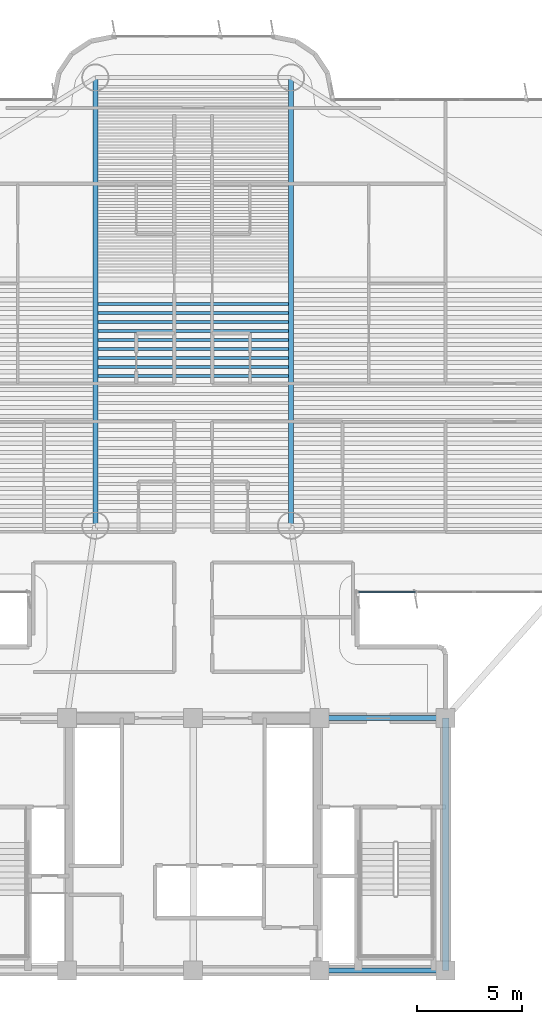
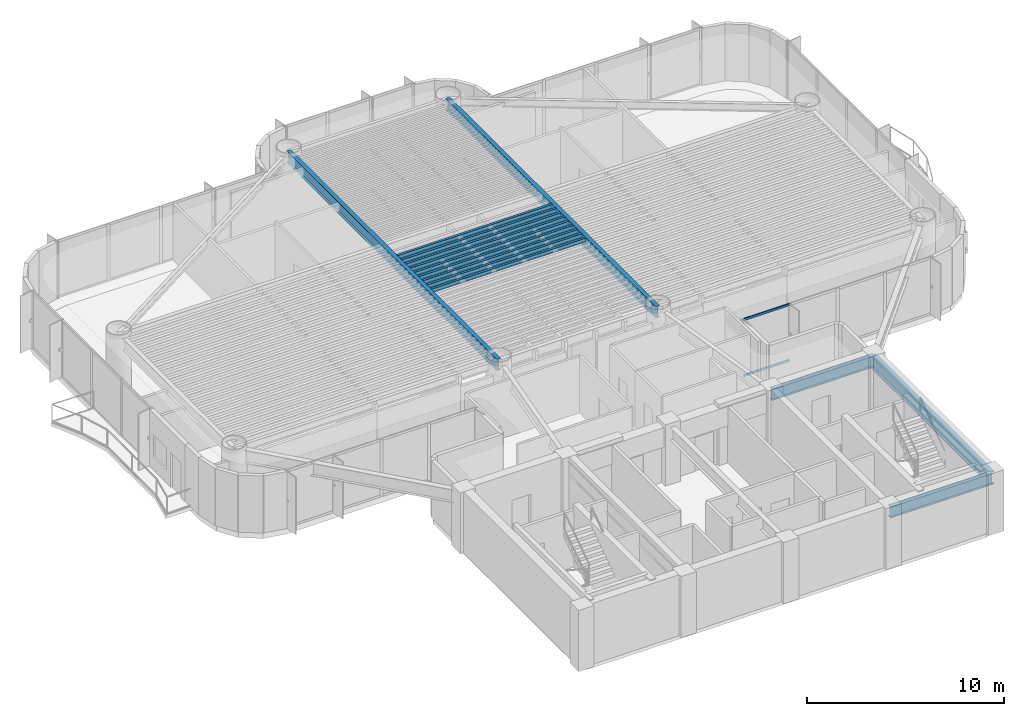
# One storey, part 3 of 17: 14 beams, 2 members, 1 element without a shape of its own.
"""IFC4 building model written with IfcOpenShell, lengths in metres."""

from ifc_helpers import new_model, si_unit, direction, frame, origin, origin_2d, place, context, subcontext, project, spatial, rectangle, i_section, extrude, source, transform, mapped, material, layer, layer_set, material_profile, profile_set, type_object, element, aggregate, save


model = new_model("IFC4")

# Units and contexts
model_context = context("Model", 3, precision=1e-05, world=origin(), true_north=direction((0.0, 1.0)))
body_context = subcontext(model_context, "Body", "Model", "MODEL_VIEW")
ifc_project = project(units=[si_unit("LENGTHUNIT", "METRE"), si_unit("AREAUNIT", "SQUARE_METRE"), si_unit("VOLUMEUNIT", "CUBIC_METRE"), si_unit("PLANEANGLEUNIT", "RADIAN"), si_unit("MASSUNIT", "GRAM", prefix="KILO")], contexts=[model_context])

# Site, building, storey
site_placement = place(None, origin())
site = spatial("IfcSite", under=ifc_project, at=site_placement, CompositionType="ELEMENT")
building_placement = place(site_placement, origin())
building = spatial("IfcBuilding", under=site, at=building_placement, Name="Brelvock Crest Care Tower", CompositionType="ELEMENT")
storey_placement = place(building_placement, frame((0.0, 0.0, 89.820068359375)))
storey = spatial("IfcBuildingStorey", under=building, at=storey_placement, Name="L22", CompositionType="ELEMENT", Elevation=89.820068359375)

# Beams
ifc_material_1 = material(Name="Steel Grade 350", Category="steel")
ifc_material_profile_1 = material_profile(ifc_material_1, i_section(OverallWidth=0.25, OverallDepth=0.699951171875, WebThickness=0.011962890625, FlangeThickness=0.02001953125, at=origin_2d()), Name="700WB150")
ifc_profile_set_1 = profile_set([ifc_material_profile_1], Name="Steel Grade 350")
beam_type_1 = type_object("IfcBeamType", Name="BM-G4", PredefinedType="BEAM", material=ifc_profile_set_1)
shared_shape_1 = source(origin(), body_context, "Body", "SweptSolid", [
    extrude(i_section(OverallWidth=0.25, OverallDepth=0.699951171875, WebThickness=0.011962890625, FlangeThickness=0.02001953125, at=origin_2d()), origin(), (0.0, 0.0, 1.0), 6.0),
])
for number, where, z_axis, x_axis, name in (
    (1, (42.0, 6.0, 3.179931640625), (1.0, 0.0, 0.0), (0.0, 1.0, 0.0), "BM-CORES-L22-4"),
    (2, (42.0, 18.0, 3.179931640625), (1.0, 0.0, 0.0), (0.0, 1.0, 0.0), "BM-COREN-L22-4"),
):
    element("IfcBeam", number, at=place(storey_placement, frame(where, z_axis=z_axis, x_axis=x_axis)), inside=storey, type_object=beam_type_1, Name=name, PredefinedType="BEAM", context=body_context, shape_type="MappedRepresentation", body=[
        mapped(shared_shape_1, transform((0.0, 0.0, 0.0), x_axis=(1.0, 0.0, 0.0), y_axis=(0.0, 1.0, 0.0), z_axis=(0.0, 0.0, 1.0), scale=1.0)),
    ])
ifc_material_profile_2 = material_profile(ifc_material_1, i_section(OverallWidth=0.300048828125, OverallDepth=0.800048828125, WebThickness=0.013916015625, FlangeThickness=0.02197265625, at=origin_2d()), Name="800WB192")
ifc_profile_set_2 = profile_set([ifc_material_profile_2], Name="Steel Grade 350")
beam_type_2 = type_object("IfcBeamType", Name="BM-G5", PredefinedType="BEAM", material=ifc_profile_set_2)
shared_shape_2 = source(origin(), body_context, "Body", "SweptSolid", [
    extrude(i_section(OverallWidth=0.300048828125, OverallDepth=0.800048828125, WebThickness=0.013916015625, FlangeThickness=0.02197265625, at=origin_2d()), origin(), (0.0, 0.0, 1.0), 12.0),
])
beam_placement = place(storey_placement, frame((48.0, 6.0, 3.1298828125), z_axis=(0.0, 1.0, 0.0), x_axis=(-1.0, 0.0, 0.0)))
element("IfcBeam", 3, at=beam_placement, inside=storey, type_object=beam_type_2, Name="BM-COREX-L22-5", PredefinedType="BEAM", context=body_context, shape_type="MappedRepresentation", body=[
    mapped(shared_shape_2, transform((0.0, 0.0, 0.0), x_axis=(1.0, 0.0, 0.0), y_axis=(0.0, 1.0, 0.0), z_axis=(0.0, 0.0, 1.0), scale=1.0)),
])
ifc_material_profile_3 = material_profile(ifc_material_1, i_section(OverallWidth=0.14599609375, OverallDepth=0.256103515625, WebThickness=0.00634765625, FlangeThickness=0.010986328125, FilletRadius=0.0087890625, at=origin_2d()), Name="250UB37.3")
ifc_profile_set_3 = profile_set([ifc_material_profile_3], Name="Steel Grade 350")
beam_type_3 = type_object("IfcBeamType", Name="BM-J3", PredefinedType="JOIST", material=ifc_profile_set_3)
shared_shape_3 = source(origin(), body_context, "Body", "SweptSolid", [
    extrude(i_section(OverallWidth=0.14599609375, OverallDepth=0.256103515625, WebThickness=0.00634765625, FlangeThickness=0.010986328125, FilletRadius=0.0087890625, at=origin_2d()), origin(), (0.0, 0.0, 1.0), 9.06982421875),
])
for number, where, z_axis, x_axis, name in (
    (4, (31.465087890625, 34.2607421875, 3.40185546875), (1.0, 0.0, 0.0), (0.0, 1.0, 0.0), "BM-JH-L22-16"),
    (5, (31.465087890625, 34.687744140625, 3.40185546875), (1.0, 0.0, 0.0), (0.0, 1.0, 0.0), "BM-JH-L22-17"),
    (6, (31.465087890625, 35.11474609375, 3.40185546875), (1.0, 0.0, 0.0), (0.0, 1.0, 0.0), "BM-JH-L22-18"),
    (7, (31.465087890625, 35.541748046875, 3.40185546875), (1.0, 0.0, 0.0), (0.0, 1.0, 0.0), "BM-JH-L22-19"),
    (8, (31.465087890625, 35.96875, 3.40185546875), (1.0, 0.0, 0.0), (0.0, 1.0, 0.0), "BM-JH-L22-20"),
    (9, (31.465087890625, 36.39599609375, 3.40185546875), (1.0, 0.0, 0.0), (0.0, 1.0, 0.0), "BM-JH-L22-21"),
    (10, (31.465087890625, 36.822998046875, 3.40185546875), (1.0, 0.0, 0.0), (0.0, 1.0, 0.0), "BM-JH-L22-22"),
    (11, (31.465087890625, 37.25, 3.40185546875), (1.0, 0.0, 0.0), (0.0, 1.0, 0.0), "BM-JH-L22-23"),
    (12, (31.465087890625, 37.677001953125, 3.40185546875), (1.0, 0.0, 0.0), (0.0, 1.0, 0.0), "BM-JH-L22-24"),
):
    element("IfcBeam", number, at=place(storey_placement, frame(where, z_axis=z_axis, x_axis=x_axis)), inside=storey, type_object=beam_type_3, Name=name, PredefinedType="JOIST", context=body_context, shape_type="MappedRepresentation", body=[
        mapped(shared_shape_3, transform((0.0, 0.0, 0.0), x_axis=(1.0, 0.0, 0.0), y_axis=(0.0, 1.0, 0.0), z_axis=(0.0, 0.0, 1.0), scale=1.0)),
    ])
shared_shape_4 = source(origin(), body_context, "Body", "SweptSolid", [
    extrude(i_section(OverallWidth=0.25, OverallDepth=0.699951171875, WebThickness=0.011962890625, FlangeThickness=0.02001953125, at=origin_2d()), origin(), (0.0, 0.0, 1.0), 21.300048828125),
])
for number, where, z_axis, x_axis, name in (
    (13, (31.35009765625, 27.14990234375, 3.179931640625), (0.0, 1.0, 0.0), (-1.0, 0.0, 0.0), "BM-TWR-L22-09"),
    (14, (40.64990234375, 27.14990234375, 3.179931640625), (0.0, 1.0, 0.0), (-1.0, 0.0, 0.0), "BM-TWR-L22-10"),
):
    element("IfcBeam", number, at=place(storey_placement, frame(where, z_axis=z_axis, x_axis=x_axis)), inside=storey, type_object=beam_type_1, Name=name, PredefinedType="BEAM", context=body_context, shape_type="MappedRepresentation", body=[
        mapped(shared_shape_4, transform((0.0, 0.0, 0.0), x_axis=(1.0, 0.0, 0.0), y_axis=(0.0, 1.0, 0.0), z_axis=(0.0, 0.0, 1.0), scale=1.0)),
    ])

# Curtain wall, members
ifc_material_2 = material(Name="Dark Glass Double Glazed Low-E", Category="glass")
ifc_layer = layer(ifc_material_2, 0.2099609375, Name="CWS-3")
ifc_layer_set = layer_set([ifc_layer], Name="Dark Glass Double Glazed Low-E")
curtain_wall_type = type_object("IfcCurtainWallType", Name="CWS-3", PredefinedType="NOTDEFINED", material=ifc_layer_set)
curtain_wall_placement = place(storey_placement, origin())
curtain_wall = element("IfcCurtainWall", 15, at=curtain_wall_placement, inside=storey, type_object=curtain_wall_type, Name="L22 Curtain Wall E44", PredefinedType="NOTDEFINED")
ifc_material_3 = material(Name="Aluminium 6063-T6", Category="aluminium")
ifc_material_profile_4 = material_profile(ifc_material_3, rectangle(XDim=0.06005859375, YDim=0.139892578125, at=origin_2d()), Name="ALU60x140")
ifc_profile_set_4 = profile_set([ifc_material_profile_4], Name="Aluminium 6063-T6")
member_type = type_object("IfcMemberType", Name="CWT-2", PredefinedType="USERDEFINED", material=ifc_profile_set_4)
shared_shape_5 = source(origin(), body_context, "Body", "SweptSolid", [
    extrude(rectangle(XDim=0.06005859375, YDim=0.139892578125, at=origin_2d()), origin(), (0.0, 0.0, 1.0), 2.684814453125),
])
member_1_placement = place(storey_placement, frame((46.544921875, 24.0, 0.030029296875), z_axis=(-1.0, 0.0, 0.0), x_axis=(0.0, -1.0, 0.0)))
member_1 = element("IfcMember", 16, at=member_1_placement, type_object=member_type, Name="CW-3 transom 4.1", ObjectType="TRANSOM", PredefinedType="USERDEFINED", context=body_context, shape_type="MappedRepresentation", body=[
    mapped(shared_shape_5, transform((0.0, 0.0, 0.0), x_axis=(1.0, 0.0, 0.0), y_axis=(0.0, 1.0, 0.0), z_axis=(0.0, 0.0, 1.0), scale=1.0)),
])
member_2_placement = place(storey_placement, frame((46.544921875, 24.0, 3.5), z_axis=(-1.0, 0.0, 0.0), x_axis=(0.0, -1.0, 0.0)))
member_2 = element("IfcMember", 17, at=member_2_placement, type_object=member_type, Name="CW-3 transom 4.2", ObjectType="TRANSOM", PredefinedType="USERDEFINED", context=body_context, shape_type="MappedRepresentation", body=[
    mapped(shared_shape_5, transform((0.0, 0.0, 0.0), x_axis=(1.0, 0.0, 0.0), y_axis=(0.0, 1.0, 0.0), z_axis=(0.0, 0.0, 1.0), scale=1.0)),
])
aggregate(curtain_wall, [member_1, member_2])

save(model, "model.ifc")
